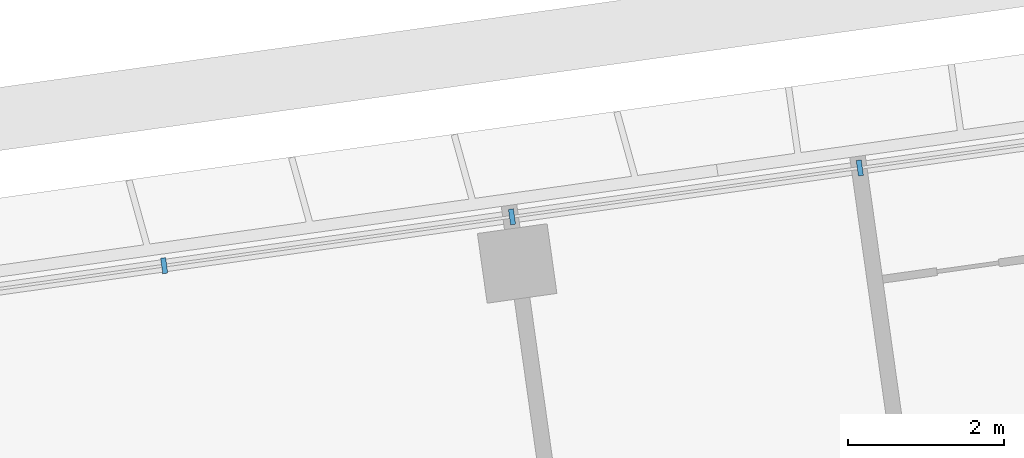
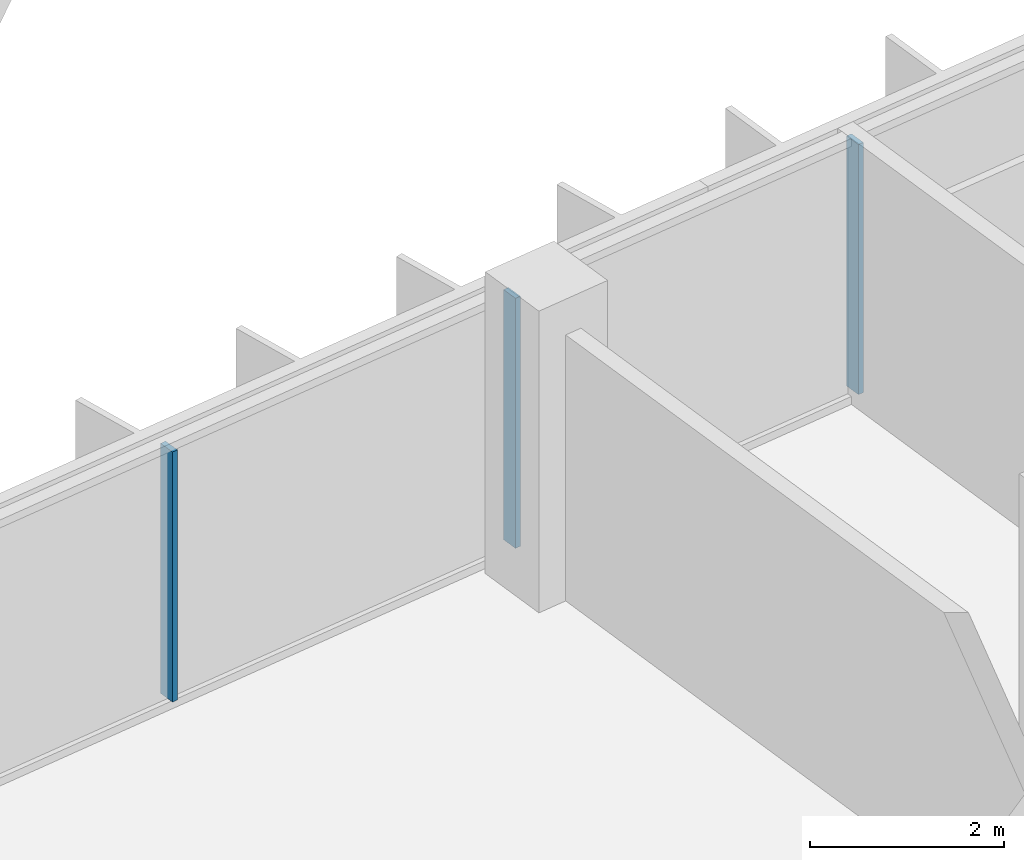
# One storey, part 23 of 41: 3 members, 1 element without a shape of its own.
"""IFC4 building model written with IfcOpenShell, lengths in metres."""

from ifc_helpers import new_model, si_unit, direction, frame, origin, origin_2d, place, context, subcontext, project, spatial, rectangle, extrude, material, material_profile, profile_set, type_object, element, aggregate, save


model = new_model("IFC4")

# Units and contexts
model_context = context("Model", 3, precision=1e-05, world=origin(), true_north=direction((0.0, 1.0)))
body_context = subcontext(model_context, "Body", "Model", "MODEL_VIEW")
ifc_project = project(units=[si_unit("LENGTHUNIT", "METRE"), si_unit("AREAUNIT", "SQUARE_METRE"), si_unit("VOLUMEUNIT", "CUBIC_METRE"), si_unit("PLANEANGLEUNIT", "RADIAN"), si_unit("MASSUNIT", "GRAM", prefix="KILO")], contexts=[model_context])

# Site, building, storey
site_placement = place(None, origin())
site = spatial("IfcSite", under=ifc_project, at=site_placement, CompositionType="ELEMENT")
building_placement = place(site_placement, origin())
building = spatial("IfcBuilding", under=site, at=building_placement, Name="Mirante Cascada Hotel Towers", CompositionType="ELEMENT")
storey_placement = place(building_placement, frame((0.0, 0.0, 125.3)))
storey = spatial("IfcBuildingStorey", under=building, at=storey_placement, Name="L28", CompositionType="ELEMENT", Elevation=125.3)

# Curtain wall, members
ifc_material_1 = material(Name="Aluminium mullion and transom frame with clear laminated glass", Category="aluminium")
curtain_wall_type = type_object("IfcCurtainWallType", Name="Ribbon curtain wall ECW1", PredefinedType="NOTDEFINED", material=ifc_material_1)
curtain_wall_placement = place(storey_placement, origin())
curtain_wall = element("IfcCurtainWall", 1, at=curtain_wall_placement, inside=storey, type_object=curtain_wall_type, Name="Front ribbon wall T2 L28", PredefinedType="NOTDEFINED")
ifc_material_2 = material(Name="Anodised aluminium extrusion", Category="aluminium")
ifc_material_profile = material_profile(ifc_material_2, rectangle(XDim=0.2, YDim=0.065, at=origin_2d()), Name="ECW1 MULLION 65x200")
ifc_profile_set = profile_set([ifc_material_profile], Name="Anodised aluminium extrusion")
member_type = type_object("IfcMemberType", Name="ECW1 mullion 65x200", PredefinedType="MULLION", material=ifc_profile_set)
member_1_placement = place(storey_placement, frame((58.5788, 21.0517, 0.1), z_axis=(0.0, 0.0, 1.0), x_axis=(0.1391731, -0.9902681, 0.0)))
member_1 = element("IfcMember", 2, at=member_1_placement, type_object=member_type, Name="ECW1 mullion 9", PredefinedType="MULLION", context=body_context, shape_type="SweptSolid", body=[
    extrude(rectangle(XDim=0.2, YDim=0.065, at=origin_2d()), origin(), (0.0, 0.0, 1.0), 3.15),
])
member_2_placement = place(storey_placement, frame((54.1314, 20.4267, 0.1), z_axis=(0.0, 0.0, 1.0), x_axis=(0.1391731, -0.9902681, 0.0)))
member_2 = element("IfcMember", 3, at=member_2_placement, type_object=member_type, Name="ECW1 mullion 10", PredefinedType="MULLION", context=body_context, shape_type="SweptSolid", body=[
    extrude(rectangle(XDim=0.2, YDim=0.065, at=origin_2d()), origin(), (0.0, 0.0, 1.0), 3.15),
])
member_3_placement = place(storey_placement, frame((49.684, 19.8017, 0.1), z_axis=(0.0, 0.0, 1.0), x_axis=(0.1391731, -0.9902681, 0.0)))
member_3 = element("IfcMember", 4, at=member_3_placement, type_object=member_type, Name="ECW1 mullion 11", PredefinedType="MULLION", context=body_context, shape_type="SweptSolid", body=[
    extrude(rectangle(XDim=0.2, YDim=0.065, at=origin_2d()), origin(), (0.0, 0.0, 1.0), 3.15),
])
aggregate(curtain_wall, [member_1, member_2, member_3])

save(model, "model.ifc")
